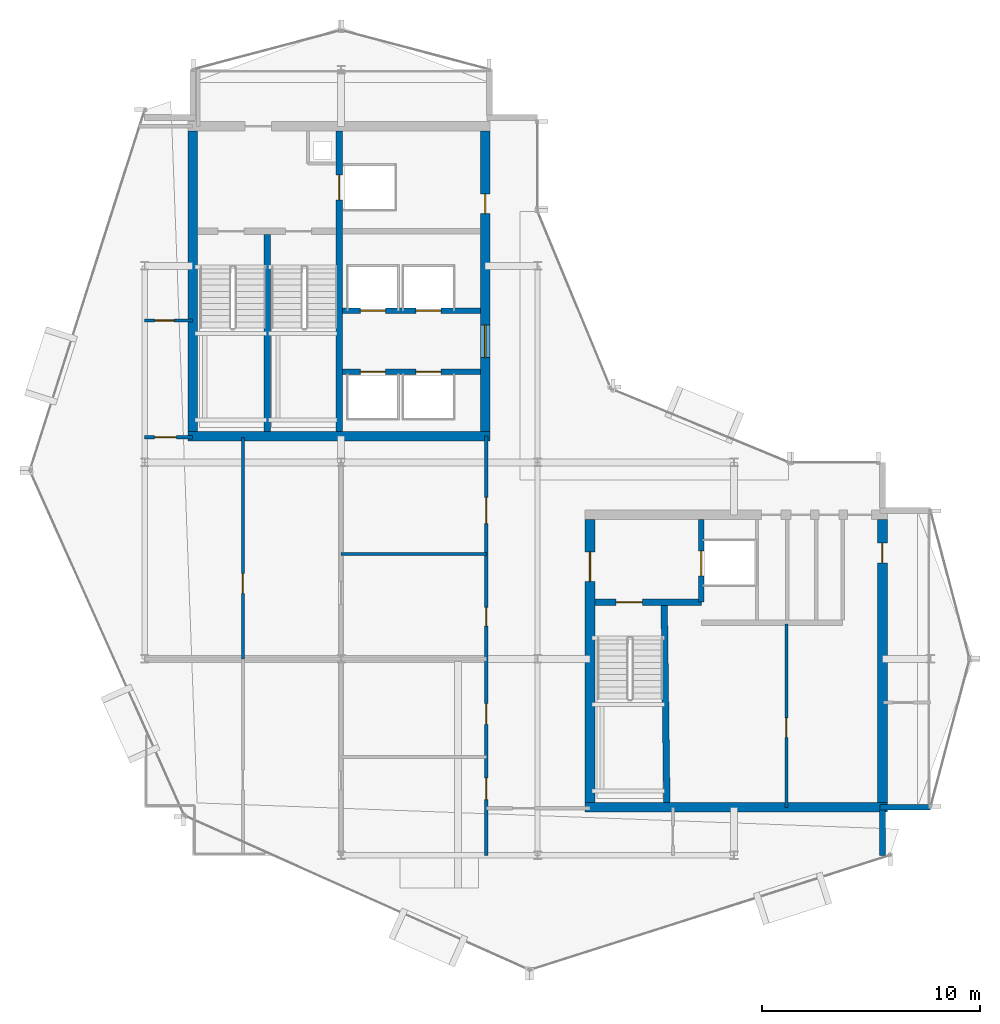
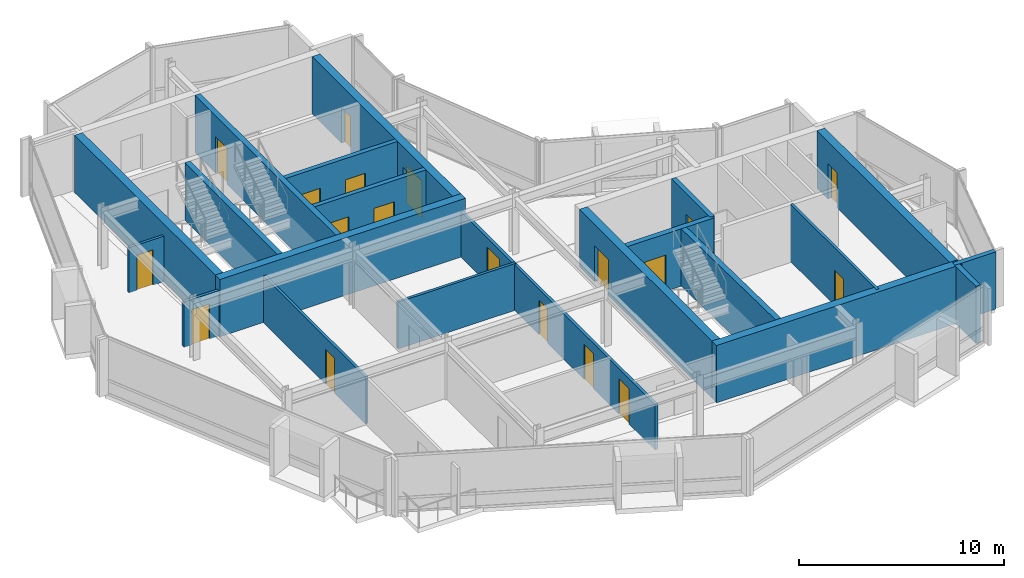
# One storey, part 14 of 19: 21 walls, 19 doors, 19 openings.
"""IFC4 building model written with IfcOpenShell, lengths in metres."""

from ifc_helpers import new_model, si_unit, direction, frame, frame_2d, origin, place, context, subcontext, project, spatial, rectangle, extrude, material, layer, layer_set, type_object, element, fill, save


model = new_model("IFC4")

# Units and contexts
model_context = context("Model", 3, precision=1e-05, world=origin(), true_north=direction((0.0, 1.0)))
body_context = subcontext(model_context, "Body", "Model", "MODEL_VIEW")
ifc_project = project(units=[si_unit("LENGTHUNIT", "METRE"), si_unit("AREAUNIT", "SQUARE_METRE"), si_unit("VOLUMEUNIT", "CUBIC_METRE"), si_unit("PLANEANGLEUNIT", "RADIAN"), si_unit("MASSUNIT", "GRAM", prefix="KILO")], contexts=[model_context])

# Site, building, storey
site_placement = place(None, origin())
site = spatial("IfcSite", under=ifc_project, at=site_placement, CompositionType="ELEMENT")
building_placement = place(site_placement, origin())
building = spatial("IfcBuilding", under=site, at=building_placement, Name="Solvaryn Broadcast Tower", CompositionType="ELEMENT")
storey_placement = place(building_placement, frame((0.0, 0.0, 290.0)))
storey = spatial("IfcBuildingStorey", under=building, at=storey_placement, Name="L73", CompositionType="ELEMENT", Elevation=290.0)

# Walls
ifc_material_1 = material(Name="Concrete f'c 70 MPa", Category="concrete")
ifc_layer_1 = layer(ifc_material_1, 0.449951171875)
ifc_layer_set_1 = layer_set([ifc_layer_1], Name="CW-SHEAR-450")
wall_type_1 = type_object("IfcWallType", Name="CW-SHEAR-450", PredefinedType="SHEAR", material=ifc_layer_set_1)
wall_1_placement = place(storey_placement, frame((10.97509765625, 28.199951171875, 0.0), z_axis=(0.0, 0.0, 1.0), x_axis=(1.0, 0.0, 0.0)))
element("IfcWall", 1, at=wall_1_placement, inside=storey, type_object=wall_type_1, Name="L73 West Core South Shear Wall", PredefinedType="SHEAR", context=body_context, shape_type="SweptSolid", body=[
    extrude(rectangle(XDim=13.849853515625, YDim=0.449951171875, at=frame_2d((6.9248046875, 0.0))), origin(), (0.0, 0.0, 1.0), 3.419921875),
])
wall_2_placement = place(storey_placement, frame((11.199951171875, 42.175048828125, 0.0), z_axis=(0.0, 0.0, 1.0), x_axis=(0.0, -1.0, 0.0)))
element("IfcWall", 2, at=wall_2_placement, inside=storey, type_object=wall_type_1, Name="L73 West Core West Shear Wall", PredefinedType="SHEAR", context=body_context, shape_type="SweptSolid", body=[
    extrude(rectangle(XDim=13.75, YDim=0.449951171875, at=frame_2d((6.875, 0.0))), origin(), (0.0, 0.0, 1.0), 3.419921875),
])

# Wall, openings, doors
wall_3_placement = place(storey_placement, frame((24.60009765625, 28.425048828125, 0.0), z_axis=(0.0, 0.0, 1.0), x_axis=(0.0, 1.0, 0.0)))
wall_3 = element("IfcWall", 3, at=wall_3_placement, inside=storey, type_object=wall_type_1, Name="L73 West Core East Shear Wall", PredefinedType="SHEAR", context=body_context, shape_type="SweptSolid", body=[
    extrude(rectangle(XDim=13.75, YDim=0.449951171875, at=frame_2d((6.875, 0.0))), origin(), (0.0, 0.0, 1.0), 3.419921875),
])
opening_1_placement = place(wall_3_placement, frame((3.375, 0.0, 0.0)))
opening_1 = element("IfcOpeningElement", 4, at=opening_1_placement, cuts=wall_3, Name="Opening FD60A", PredefinedType="OPENING", context=body_context, shape_type="SweptSolid", body=[
    extrude(rectangle(XDim=1.5, YDim=2.199951171875, at=frame_2d((0.75, 1.10009765625))), frame((0.0, 0.235107421875, 0.0), z_axis=(0.0, -1.0, 0.0), x_axis=(1.0, 0.0, 0.0)), (0.0, 0.0, 1.0), 0.469970703125),
])
opening_2_placement = place(wall_3_placement, frame((9.97509765625, 0.0, 0.0)))
opening_2 = element("IfcOpeningElement", 5, at=opening_2_placement, cuts=wall_3, Name="Opening FD60C", PredefinedType="OPENING", context=body_context, shape_type="SweptSolid", body=[
    extrude(rectangle(XDim=0.89990234375, YDim=2.10009765625, at=frame_2d((0.449951171875, 1.050048828125))), frame((0.0, 0.235107421875, 0.0), z_axis=(0.0, -1.0, 0.0), x_axis=(1.0, 0.0, 0.0)), (0.0, 0.0, 1.0), 0.469970703125),
])
ifc_material_2 = material(Name="Flush Acoustic Steel and Timber Door Assembly", Category="steel")
door_type_1 = type_object("IfcDoorType", Name="FD60-CORR-1500X2200", OperationType="NOTDEFINED", PredefinedType="DOOR", material=ifc_material_2)
door_1_placement = place(opening_1_placement, origin())
door_1 = element("IfcDoor", 6, at=door_1_placement, inside=storey, type_object=door_type_1, Name="L73 West Elevator Lobby Corridor Door", OperationType="DOUBLE_DOOR_SINGLE_SWING", OverallHeight=2.199951171875, OverallWidth=1.5, PredefinedType="DOOR", context=body_context, shape_type="SweptSolid", body=[
    extrude(rectangle(XDim=1.5, YDim=2.199951171875, at=frame_2d((0.75, 1.10009765625))), frame((0.0, 0.02490234375, 0.0), z_axis=(0.0, -1.0, 0.0), x_axis=(1.0, 0.0, 0.0)), (0.0, 0.0, 1.0), 0.050048828125),
])
fill(opening_1, door_1)
ifc_material_3 = material(Name="Flush Acoustic Steel and Timber Door Assembly", Category="steel")
door_type_2 = type_object("IfcDoorType", Name="FD60-SERV-900X2100", OperationType="NOTDEFINED", PredefinedType="DOOR", material=ifc_material_3)
door_2_placement = place(opening_2_placement, origin())
door_2 = element("IfcDoor", 7, at=door_2_placement, inside=storey, type_object=door_type_2, Name="L73 West Core Service Door 1", OperationType="SINGLE_SWING_LEFT", OverallHeight=2.10009765625, OverallWidth=0.89990234375, PredefinedType="DOOR", context=body_context, shape_type="SweptSolid", body=[
    extrude(rectangle(XDim=0.89990234375, YDim=2.10009765625, at=frame_2d((0.449951171875, 1.050048828125))), frame((0.0, 0.02490234375, 0.0), z_axis=(0.0, -1.0, 0.0), x_axis=(1.0, 0.0, 0.0)), (0.0, 0.0, 1.0), 0.050048828125),
])
fill(opening_2, door_2)

# Wall
wall_4_placement = place(storey_placement, frame((29.175048828125, 11.199951171875, 0.0), z_axis=(0.0, 0.0, 1.0), x_axis=(1.0, 0.0, 0.0)))
element("IfcWall", 8, at=wall_4_placement, inside=storey, type_object=wall_type_1, Name="L73 East Core South Shear Wall", PredefinedType="SHEAR", context=body_context, shape_type="SweptSolid", body=[
    extrude(rectangle(XDim=13.849853515625, YDim=0.449951171875, at=frame_2d((6.9248046875, 0.0))), origin(), (0.0, 0.0, 1.0), 3.419921875),
])

# Wall, opening, door
wall_5_placement = place(storey_placement, frame((29.39990234375, 24.375, 0.0), z_axis=(0.0, 0.0, 1.0), x_axis=(0.0, -1.0, 0.0)))
wall_5 = element("IfcWall", 9, at=wall_5_placement, inside=storey, type_object=wall_type_1, Name="L73 East Core West Shear Wall", PredefinedType="SHEAR", context=body_context, shape_type="SweptSolid", body=[
    extrude(rectangle(XDim=12.949951171875, YDim=0.449951171875, at=frame_2d((6.47509765625, 0.0))), origin(), (0.0, 0.0, 1.0), 3.419921875),
])
opening_3_placement = place(wall_5_placement, frame((1.47509765625, 0.0, 0.0)))
opening_3 = element("IfcOpeningElement", 10, at=opening_3_placement, cuts=wall_5, Name="Opening FD90B", PredefinedType="OPENING", context=body_context, shape_type="SweptSolid", body=[
    extrude(rectangle(XDim=1.35009765625, YDim=2.14990234375, at=frame_2d((0.675048828125, 1.074951171875))), frame((0.0, 0.235107421875, 0.0), z_axis=(0.0, -1.0, 0.0), x_axis=(1.0, 0.0, 0.0)), (0.0, 0.0, 1.0), 0.469970703125),
])
ifc_material_4 = material(Name="Flush Acoustic Steel and Timber Door Assembly", Category="steel")
door_type_3 = type_object("IfcDoorType", Name="FD90-LOBBY-1350X2150", OperationType="NOTDEFINED", PredefinedType="DOOR", material=ifc_material_4)
door_3_placement = place(opening_3_placement, origin())
door_3 = element("IfcDoor", 11, at=door_3_placement, inside=storey, type_object=door_type_3, Name="L73 East FSAE Lobby Door", OperationType="SINGLE_SWING_RIGHT", OverallHeight=2.14990234375, OverallWidth=1.35009765625, PredefinedType="DOOR", context=body_context, shape_type="SweptSolid", body=[
    extrude(rectangle(XDim=1.35009765625, YDim=2.14990234375, at=frame_2d((0.675048828125, 1.074951171875))), frame((0.0, 0.02490234375, 0.0), z_axis=(0.0, -1.0, 0.0), x_axis=(1.0, 0.0, 0.0)), (0.0, 0.0, 1.0), 0.050048828125),
])
fill(opening_3, door_3)

wall_6_placement = place(storey_placement, frame((42.800048828125, 11.425048828125, 0.0), z_axis=(0.0, 0.0, 1.0), x_axis=(0.0, 1.0, 0.0)))
wall_6 = element("IfcWall", 12, at=wall_6_placement, inside=storey, type_object=wall_type_1, Name="L73 East Core East Shear Wall", PredefinedType="SHEAR", context=body_context, shape_type="SweptSolid", body=[
    extrude(rectangle(XDim=12.949951171875, YDim=0.449951171875, at=frame_2d((6.47509765625, 0.0))), origin(), (0.0, 0.0, 1.0), 3.419921875),
])
opening_4_placement = place(wall_6_placement, frame((10.97509765625, 0.0, 0.0)))
opening_4 = element("IfcOpeningElement", 13, at=opening_4_placement, cuts=wall_6, Name="Opening FD60C", PredefinedType="OPENING", context=body_context, shape_type="SweptSolid", body=[
    extrude(rectangle(XDim=0.89990234375, YDim=2.10009765625, at=frame_2d((0.449951171875, 1.050048828125))), frame((0.0, 0.235107421875, 0.0), z_axis=(0.0, -1.0, 0.0), x_axis=(1.0, 0.0, 0.0)), (0.0, 0.0, 1.0), 0.469970703125),
])
door_4_placement = place(opening_4_placement, origin())
door_4 = element("IfcDoor", 14, at=door_4_placement, inside=storey, type_object=door_type_2, Name="L73 Upper East Studio Door", OperationType="SINGLE_SWING_RIGHT", OverallHeight=2.10009765625, OverallWidth=0.89990234375, PredefinedType="DOOR", context=body_context, shape_type="SweptSolid", body=[
    extrude(rectangle(XDim=0.89990234375, YDim=2.10009765625, at=frame_2d((0.449951171875, 1.050048828125))), frame((0.0, 0.02490234375, 0.0), z_axis=(0.0, -1.0, 0.0), x_axis=(1.0, 0.0, 0.0)), (0.0, 0.0, 1.0), 0.050048828125),
])
fill(opening_4, door_4)

# Walls
ifc_material_5 = material(Name="Concrete f'c 50 MPa", Category="concrete")
ifc_layer_2 = layer(ifc_material_5, 0.260009765625)
ifc_layer_set_2 = layer_set([ifc_layer_2], Name="EW-PIER-260")
wall_type_2 = type_object("IfcWallType", Name="EW-PIER-260", PredefinedType="SOLIDWALL", material=ifc_layer_set_2)
wall_7_placement = place(storey_placement, frame((42.800048828125, 9.0, 0.0), z_axis=(0.0, 0.0, 1.0), x_axis=(0.0, 1.0, 0.0)))
element("IfcWall", 15, at=wall_7_placement, inside=storey, type_object=wall_type_2, Name="L73 Notched Corner Pier Wall NSE1", PredefinedType="SOLIDWALL", context=body_context, shape_type="SweptSolid", body=[
    extrude(rectangle(XDim=2.080078125, YDim=0.260009765625, at=frame_2d((1.0400390625, 0.0))), origin(), (0.0, 0.0, 1.0), 3.419921875),
])
wall_8_placement = place(storey_placement, frame((42.679931640625, 11.199951171875, 0.0), z_axis=(0.0, 0.0, 1.0), x_axis=(1.0, 0.0, 0.0)))
element("IfcWall", 16, at=wall_8_placement, inside=storey, type_object=wall_type_2, Name="L73 Notched Corner Pier Wall NSE2", PredefinedType="SOLIDWALL", context=body_context, shape_type="SweptSolid", body=[
    extrude(rectangle(XDim=2.320068359375, YDim=0.260009765625, at=frame_2d((1.16015625, 0.0))), origin(), (0.0, 0.0, 1.0), 3.419921875),
])

# Wall, opening, door
ifc_material_6 = material(Name="Metal-Stud Service Core Partition")
ifc_layer_3 = layer(ifc_material_6, 0.14990234375)
ifc_layer_set_3 = layer_set([ifc_layer_3], Name="IW-PART-150")
wall_type_3 = type_object("IfcWallType", Name="IW-PART-150", PredefinedType="PARTITIONING", material=ifc_layer_set_3)
wall_9_placement = place(storey_placement, frame((38.39990234375, 11.199951171875, 0.0), z_axis=(0.0, 0.0, 1.0), x_axis=(0.0, 1.0, 0.0)))
wall_9 = element("IfcWall", 17, at=wall_9_placement, inside=storey, type_object=wall_type_3, Name="L73 Interior Partition IW-L73-RPM-V", PredefinedType="PARTITIONING", context=body_context, shape_type="SweptSolid", body=[
    extrude(rectangle(XDim=8.400146484375, YDim=0.14990234375, at=frame_2d((4.2001953125, 0.0))), origin(), (0.0, 0.0, 1.0), 3.419921875),
])
opening_5_placement = place(wall_9_placement, frame((3.199951171875, 0.0, 0.0)))
opening_5 = element("IfcOpeningElement", 18, at=opening_5_placement, cuts=wall_9, Name="Opening FD60C", PredefinedType="OPENING", context=body_context, shape_type="SweptSolid", body=[
    extrude(rectangle(XDim=0.89990234375, YDim=2.10009765625, at=frame_2d((0.449951171875, 1.050048828125))), frame((0.0, 0.0849609375, 0.0), z_axis=(0.0, -1.0, 0.0), x_axis=(1.0, 0.0, 0.0)), (0.0, 0.0, 1.0), 0.169921875),
])
door_5_placement = place(opening_5_placement, origin())
door_5 = element("IfcDoor", 19, at=door_5_placement, inside=storey, type_object=door_type_2, Name="L73 Door DR-L73-RPM1", OperationType="SINGLE_SWING_LEFT", OverallHeight=2.10009765625, OverallWidth=0.89990234375, PredefinedType="DOOR", context=body_context, shape_type="SweptSolid", body=[
    extrude(rectangle(XDim=0.89990234375, YDim=2.10009765625, at=frame_2d((0.449951171875, 1.050048828125))), frame((0.0, 0.02490234375, 0.0), z_axis=(0.0, -1.0, 0.0), x_axis=(1.0, 0.0, 0.0)), (0.0, 0.0, 1.0), 0.050048828125),
])
fill(opening_5, door_5)

wall_10_placement = place(storey_placement, frame((9.0, 33.5, 0.0), z_axis=(0.0, 0.0, 1.0), x_axis=(1.0, 0.0, 0.0)))
wall_10 = element("IfcWall", 20, at=wall_10_placement, inside=storey, type_object=wall_type_3, Name="L73 Interior Partition IW-L73-WM-M", PredefinedType="PARTITIONING", context=body_context, shape_type="SweptSolid", body=[
    extrude(rectangle(XDim=2.199951171875, YDim=0.14990234375, at=frame_2d((1.10009765625, 0.0))), origin(), (0.0, 0.0, 1.0), 2.70703125),
])
opening_6_placement = place(wall_10_placement, frame((0.449951171875, 0.0, 0.0)))
opening_6 = element("IfcOpeningElement", 21, at=opening_6_placement, cuts=wall_10, Name="Opening FD60C", PredefinedType="OPENING", context=body_context, shape_type="SweptSolid", body=[
    extrude(rectangle(XDim=0.89990234375, YDim=2.10009765625, at=frame_2d((0.449951171875, 1.050048828125))), frame((0.0, 0.0849609375, 0.0), z_axis=(0.0, -1.0, 0.0), x_axis=(1.0, 0.0, 0.0)), (0.0, 0.0, 1.0), 0.169921875),
])
door_6_placement = place(opening_6_placement, origin())
door_6 = element("IfcDoor", 22, at=door_6_placement, inside=storey, type_object=door_type_2, Name="L73 Door DR-L73-WM1", OperationType="SINGLE_SWING_LEFT", OverallHeight=2.10009765625, OverallWidth=0.89990234375, PredefinedType="DOOR", context=body_context, shape_type="SweptSolid", body=[
    extrude(rectangle(XDim=0.89990234375, YDim=2.10009765625, at=frame_2d((0.449951171875, 1.050048828125))), frame((0.0, 0.02490234375, 0.0), z_axis=(0.0, -1.0, 0.0), x_axis=(1.0, 0.0, 0.0)), (0.0, 0.0, 1.0), 0.050048828125),
])
fill(opening_6, door_6)

wall_11_placement = place(storey_placement, frame((13.5, 18.0, 0.0), z_axis=(0.0, 0.0, 1.0), x_axis=(0.0, 1.0, 0.0)))
wall_11 = element("IfcWall", 23, at=wall_11_placement, inside=storey, type_object=wall_type_3, Name="L73 Interior Partition IW-L73-SW-C1", PredefinedType="PARTITIONING", context=body_context, shape_type="SweptSolid", body=[
    extrude(rectangle(XDim=10.1298828125, YDim=0.14990234375, at=frame_2d((5.06494140625, 0.0))), origin(), (0.0, 0.0, 1.0), 2.7890625),
])
opening_7_placement = place(wall_11_placement, frame((3.0, 0.0, 0.0)))
opening_7 = element("IfcOpeningElement", 24, at=opening_7_placement, cuts=wall_11, Name="Opening FD60C", PredefinedType="OPENING", context=body_context, shape_type="SweptSolid", body=[
    extrude(rectangle(XDim=0.89990234375, YDim=2.10009765625, at=frame_2d((0.449951171875, 1.050048828125))), frame((0.0, 0.0849609375, 0.0), z_axis=(0.0, -1.0, 0.0), x_axis=(1.0, 0.0, 0.0)), (0.0, 0.0, 1.0), 0.169921875),
])
door_7_placement = place(opening_7_placement, origin())
door_7 = element("IfcDoor", 25, at=door_7_placement, inside=storey, type_object=door_type_2, Name="L73 Door DR-L73-SWQ-6", OperationType="SINGLE_SWING_LEFT", OverallHeight=2.10009765625, OverallWidth=0.89990234375, PredefinedType="DOOR", context=body_context, shape_type="SweptSolid", body=[
    extrude(rectangle(XDim=0.89990234375, YDim=2.10009765625, at=frame_2d((0.449951171875, 1.050048828125))), frame((0.0, 0.02490234375, 0.0), z_axis=(0.0, -1.0, 0.0), x_axis=(1.0, 0.0, 0.0)), (0.0, 0.0, 1.0), 0.050048828125),
])
fill(opening_7, door_7)

# Wall
wall_12_placement = place(storey_placement, frame((18.0, 22.800048828125, 0.0), z_axis=(0.0, 0.0, 1.0), x_axis=(1.0, 0.0, 0.0)))
element("IfcWall", 26, at=wall_12_placement, inside=storey, type_object=wall_type_3, Name="L73 Interior Partition IW-L73-SW-C3", PredefinedType="PARTITIONING", context=body_context, shape_type="SweptSolid", body=[
    extrude(rectangle(XDim=6.64990234375, YDim=0.14990234375, at=frame_2d((3.324951171875, 0.0))), origin(), (0.0, 0.0, 1.0), 2.7919921875),
])

# Wall, opening, door
ifc_material_7 = material(Name="Metal-Stud Gypsum Office Partition")
ifc_layer_4 = layer(ifc_material_7, 0.159912109375)
ifc_layer_set_4 = layer_set([ifc_layer_4], Name="IW-PART-160")
wall_type_4 = type_object("IfcWallType", Name="IW-PART-160", PredefinedType="PARTITIONING", material=ifc_layer_set_4)
wall_13_placement = place(storey_placement, frame((9.0, 28.14990234375, 0.0), z_axis=(0.0, 0.0, 1.0), x_axis=(1.0, 0.0, 0.0)))
wall_13 = element("IfcWall", 27, at=wall_13_placement, inside=storey, type_object=wall_type_4, Name="L73 Interior Partition IW-L73-WM-S", PredefinedType="PARTITIONING", context=body_context, shape_type="SweptSolid", body=[
    extrude(rectangle(XDim=2.199951171875, YDim=0.159912109375, at=frame_2d((1.10009765625, 0.0))), origin(), (0.0, 0.0, 1.0), 2.70703125),
])
opening_8_placement = place(wall_13_placement, frame((0.449951171875, 0.0, 0.0)))
opening_8 = element("IfcOpeningElement", 28, at=opening_8_placement, cuts=wall_13, Name="Opening ID02", PredefinedType="OPENING", context=body_context, shape_type="SweptSolid", body=[
    extrude(rectangle(XDim=1.0, YDim=2.10009765625, at=frame_2d((0.5, 1.050048828125))), frame((0.0, 0.090087890625, 0.0), z_axis=(0.0, -1.0, 0.0), x_axis=(1.0, 0.0, 0.0)), (0.0, 0.0, 1.0), 0.179931640625),
])
ifc_material_8 = material(Name="Flush Acoustic Steel and Timber Door Assembly", Category="steel")
door_type_4 = type_object("IfcDoorType", Name="ID-02-1000X2100", OperationType="NOTDEFINED", PredefinedType="DOOR", material=ifc_material_8)
door_8_placement = place(opening_8_placement, origin())
door_8 = element("IfcDoor", 29, at=door_8_placement, inside=storey, type_object=door_type_4, Name="L73 Door DR-L73-WM0", OperationType="SINGLE_SWING_RIGHT", OverallHeight=2.10009765625, OverallWidth=1.0, PredefinedType="DOOR", context=body_context, shape_type="SweptSolid", body=[
    extrude(rectangle(XDim=1.0, YDim=2.10009765625, at=frame_2d((0.5, 1.050048828125))), frame((0.0, 0.02490234375, 0.0), z_axis=(0.0, -1.0, 0.0), x_axis=(1.0, 0.0, 0.0)), (0.0, 0.0, 1.0), 0.050048828125),
])
fill(opening_8, door_8)

# Wall, openings, doors
wall_14_placement = place(storey_placement, frame((24.64990234375, 9.0, 0.0), z_axis=(0.0, 0.0, 1.0), x_axis=(0.0, 1.0, 0.0)))
wall_14 = element("IfcWall", 30, at=wall_14_placement, inside=storey, type_object=wall_type_4, Name="L73 Interior Partition IW-L73-SW-EB", PredefinedType="PARTITIONING", context=body_context, shape_type="SweptSolid", body=[
    extrude(rectangle(XDim=19.199951171875, YDim=0.159912109375, at=frame_2d((9.60009765625, 0.0))), origin(), (0.0, 0.0, 1.0), 2.70703125),
])
opening_9_placement = place(wall_14_placement, frame((15.199951171875, 0.0, 0.0)))
opening_9 = element("IfcOpeningElement", 31, at=opening_9_placement, cuts=wall_14, Name="Opening ID04", PredefinedType="OPENING", context=body_context, shape_type="SweptSolid", body=[
    extrude(rectangle(XDim=1.199951171875, YDim=2.14990234375, at=frame_2d((0.60009765625, 1.074951171875))), frame((0.0, 0.090087890625, 0.0), z_axis=(0.0, -1.0, 0.0), x_axis=(1.0, 0.0, 0.0)), (0.0, 0.0, 1.0), 0.179931640625),
])
opening_10_placement = place(wall_14_placement, frame((10.5, 0.0, 0.0)))
opening_10 = element("IfcOpeningElement", 32, at=opening_10_placement, cuts=wall_14, Name="Opening ID07", PredefinedType="OPENING", context=body_context, shape_type="SweptSolid", body=[
    extrude(rectangle(XDim=0.860107421875, YDim=2.050048828125, at=frame_2d((0.43017578125, 1.02490234375))), frame((0.0, 0.090087890625, 0.0), z_axis=(0.0, -1.0, 0.0), x_axis=(1.0, 0.0, 0.0)), (0.0, 0.0, 1.0), 0.179931640625),
])
opening_11_placement = place(wall_14_placement, frame((6.0, 0.0, 0.0)))
opening_11 = element("IfcOpeningElement", 33, at=opening_11_placement, cuts=wall_14, Name="Opening ID01", PredefinedType="OPENING", context=body_context, shape_type="SweptSolid", body=[
    extrude(rectangle(XDim=0.949951171875, YDim=2.10009765625, at=frame_2d((0.47509765625, 1.050048828125))), frame((0.0, 0.090087890625, 0.0), z_axis=(0.0, -1.0, 0.0), x_axis=(1.0, 0.0, 0.0)), (0.0, 0.0, 1.0), 0.179931640625),
])
opening_12_placement = place(wall_14_placement, frame((2.550048828125, 0.0, 0.0)))
opening_12 = element("IfcOpeningElement", 34, at=opening_12_placement, cuts=wall_14, Name="Opening ID02", PredefinedType="OPENING", context=body_context, shape_type="SweptSolid", body=[
    extrude(rectangle(XDim=1.0, YDim=2.10009765625, at=frame_2d((0.5, 1.050048828125))), frame((0.0, 0.090087890625, 0.0), z_axis=(0.0, -1.0, 0.0), x_axis=(1.0, 0.0, 0.0)), (0.0, 0.0, 1.0), 0.179931640625),
])
ifc_material_9 = material(Name="Flush Acoustic Steel and Timber Door Assembly", Category="steel")
door_type_5 = type_object("IfcDoorType", Name="ID-01-950X2100", OperationType="NOTDEFINED", PredefinedType="DOOR", material=ifc_material_9)
door_9_placement = place(opening_11_placement, origin())
door_9 = element("IfcDoor", 35, at=door_9_placement, inside=storey, type_object=door_type_5, Name="L73 Door DR-L73-SWQ-3", OperationType="SINGLE_SWING_RIGHT", OverallHeight=2.10009765625, OverallWidth=0.949951171875, PredefinedType="DOOR", context=body_context, shape_type="SweptSolid", body=[
    extrude(rectangle(XDim=0.949951171875, YDim=2.10009765625, at=frame_2d((0.47509765625, 1.050048828125))), frame((0.0, 0.02490234375, 0.0), z_axis=(0.0, -1.0, 0.0), x_axis=(1.0, 0.0, 0.0)), (0.0, 0.0, 1.0), 0.050048828125),
])
fill(opening_11, door_9)
door_10_placement = place(opening_12_placement, origin())
door_10 = element("IfcDoor", 36, at=door_10_placement, inside=storey, type_object=door_type_4, Name="L73 Door DR-L73-SWQ-4", OperationType="SINGLE_SWING_LEFT", OverallHeight=2.10009765625, OverallWidth=1.0, PredefinedType="DOOR", context=body_context, shape_type="SweptSolid", body=[
    extrude(rectangle(XDim=1.0, YDim=2.10009765625, at=frame_2d((0.5, 1.050048828125))), frame((0.0, 0.02490234375, 0.0), z_axis=(0.0, -1.0, 0.0), x_axis=(1.0, 0.0, 0.0)), (0.0, 0.0, 1.0), 0.050048828125),
])
fill(opening_12, door_10)
ifc_material_10 = material(Name="Flush Acoustic Steel and Timber Door Assembly", Category="steel")
door_type_6 = type_object("IfcDoorType", Name="ID-04-1200X2150", OperationType="NOTDEFINED", PredefinedType="DOOR", material=ifc_material_10)
door_11_placement = place(opening_9_placement, origin())
door_11 = element("IfcDoor", 37, at=door_11_placement, inside=storey, type_object=door_type_6, Name="L73 Door DR-L73-SWQ-1", OperationType="SINGLE_SWING_RIGHT", OverallHeight=2.14990234375, OverallWidth=1.199951171875, PredefinedType="DOOR", context=body_context, shape_type="SweptSolid", body=[
    extrude(rectangle(XDim=1.199951171875, YDim=2.14990234375, at=frame_2d((0.60009765625, 1.074951171875))), frame((0.0, 0.02490234375, 0.0), z_axis=(0.0, -1.0, 0.0), x_axis=(1.0, 0.0, 0.0)), (0.0, 0.0, 1.0), 0.050048828125),
])
fill(opening_9, door_11)
ifc_material_11 = material(Name="Flush Acoustic Steel and Timber Door Assembly", Category="steel")
door_type_7 = type_object("IfcDoorType", Name="ID-07-860X2050", OperationType="NOTDEFINED", PredefinedType="DOOR", material=ifc_material_11)
door_12_placement = place(opening_10_placement, origin())
door_12 = element("IfcDoor", 38, at=door_12_placement, inside=storey, type_object=door_type_7, Name="L73 Door DR-L73-SWQ-2", OperationType="SINGLE_SWING_LEFT", OverallHeight=2.050048828125, OverallWidth=0.860107421875, PredefinedType="DOOR", context=body_context, shape_type="SweptSolid", body=[
    extrude(rectangle(XDim=0.860107421875, YDim=2.050048828125, at=frame_2d((0.43017578125, 1.02490234375))), frame((0.0, 0.02490234375, 0.0), z_axis=(0.0, -1.0, 0.0), x_axis=(1.0, 0.0, 0.0)), (0.0, 0.0, 1.0), 0.050048828125),
])
fill(opening_10, door_12)

ifc_material_12 = material(Name="Concrete f'c 60 MPa", Category="concrete")
ifc_layer_5 = layer(ifc_material_12, 0.25)
ifc_layer_set_5 = layer_set([ifc_layer_5], Name="SW-SHAFT-250")
wall_type_5 = type_object("IfcWallType", Name="SW-SHAFT-250", PredefinedType="PARTITIONING", material=ifc_layer_set_5)
wall_15_placement = place(storey_placement, frame((18.070068359375, 31.14990234375, 0.0), z_axis=(0.0, 0.0, 1.0), x_axis=(1.0, 0.0, 0.0)))
wall_15 = element("IfcWall", 39, at=wall_15_placement, inside=storey, type_object=wall_type_5, Name="L73 High-Rise Lift Bank South Wall", PredefinedType="PARTITIONING", context=body_context, shape_type="SweptSolid", body=[
    extrude(rectangle(XDim=6.304931640625, YDim=0.25, at=frame_2d((3.15234375, 0.0))), origin(), (0.0, 0.0, 1.0), 3.419921875),
])
opening_13_placement = place(wall_15_placement, frame((0.804931640625, 0.0, 0.0)))
opening_13 = element("IfcOpeningElement", 40, at=opening_13_placement, cuts=wall_15, Name="Opening LD01", PredefinedType="OPENING", context=body_context, shape_type="SweptSolid", body=[
    extrude(rectangle(XDim=1.14990234375, YDim=2.14990234375, at=frame_2d((0.574951171875, 1.074951171875))), frame((0.0, 0.135009765625, 0.0), z_axis=(0.0, -1.0, 0.0), x_axis=(1.0, 0.0, 0.0)), (0.0, 0.0, 1.0), 0.27001953125),
])
opening_14_placement = place(wall_15_placement, frame((3.35498046875, 0.0, 0.0)))
opening_14 = element("IfcOpeningElement", 41, at=opening_14_placement, cuts=wall_15, Name="Opening LD01", PredefinedType="OPENING", context=body_context, shape_type="SweptSolid", body=[
    extrude(rectangle(XDim=1.14990234375, YDim=2.14990234375, at=frame_2d((0.574951171875, 1.074951171875))), frame((0.0, 0.135009765625, 0.0), z_axis=(0.0, -1.0, 0.0), x_axis=(1.0, 0.0, 0.0)), (0.0, 0.0, 1.0), 0.27001953125),
])
ifc_material_13 = material(Name="Flush Acoustic Steel and Timber Door Assembly", Category="steel")
door_type_8 = type_object("IfcDoorType", Name="LD-LIFT-1150X2150", OperationType="NOTDEFINED", PredefinedType="DOOR", material=ifc_material_13)
door_13_placement = place(opening_13_placement, origin())
door_13 = element("IfcDoor", 42, at=door_13_placement, inside=storey, type_object=door_type_8, Name="L73 PH1 Lift Landing Door", OperationType="DOUBLE_DOOR_SLIDING", OverallHeight=2.14990234375, OverallWidth=1.14990234375, PredefinedType="DOOR", context=body_context, shape_type="SweptSolid", body=[
    extrude(rectangle(XDim=1.14990234375, YDim=2.14990234375, at=frame_2d((0.574951171875, 1.074951171875))), frame((0.0, 0.02490234375, 0.0), z_axis=(0.0, -1.0, 0.0), x_axis=(1.0, 0.0, 0.0)), (0.0, 0.0, 1.0), 0.050048828125),
])
fill(opening_13, door_13)
door_14_placement = place(opening_14_placement, origin())
door_14 = element("IfcDoor", 43, at=door_14_placement, inside=storey, type_object=door_type_8, Name="L73 PH2 Lift Landing Door", OperationType="DOUBLE_DOOR_SLIDING", OverallHeight=2.14990234375, OverallWidth=1.14990234375, PredefinedType="DOOR", context=body_context, shape_type="SweptSolid", body=[
    extrude(rectangle(XDim=1.14990234375, YDim=2.14990234375, at=frame_2d((0.574951171875, 1.074951171875))), frame((0.0, 0.02490234375, 0.0), z_axis=(0.0, -1.0, 0.0), x_axis=(1.0, 0.0, 0.0)), (0.0, 0.0, 1.0), 0.050048828125),
])
fill(opening_14, door_14)

wall_16_placement = place(storey_placement, frame((24.375, 33.949951171875, 0.0), z_axis=(0.0, 0.0, 1.0), x_axis=(-1.0, 0.0, 0.0)))
wall_16 = element("IfcWall", 44, at=wall_16_placement, inside=storey, type_object=wall_type_5, Name="L73 High-Rise Lift Bank North Wall", PredefinedType="PARTITIONING", context=body_context, shape_type="SweptSolid", body=[
    extrude(rectangle(XDim=6.304931640625, YDim=0.25, at=frame_2d((3.15234375, 0.0))), origin(), (0.0, 0.0, 1.0), 3.419921875),
])
opening_15_placement = place(wall_16_placement, frame((4.35009765625, 0.0, 0.0)))
opening_15 = element("IfcOpeningElement", 45, at=opening_15_placement, cuts=wall_16, Name="Opening LD01", PredefinedType="OPENING", context=body_context, shape_type="SweptSolid", body=[
    extrude(rectangle(XDim=1.14990234375, YDim=2.14990234375, at=frame_2d((0.574951171875, 1.074951171875))), frame((0.0, 0.135009765625, 0.0), z_axis=(0.0, -1.0, 0.0), x_axis=(1.0, 0.0, 0.0)), (0.0, 0.0, 1.0), 0.27001953125),
])
opening_16_placement = place(wall_16_placement, frame((1.800048828125, 0.0, 0.0)))
opening_16 = element("IfcOpeningElement", 46, at=opening_16_placement, cuts=wall_16, Name="Opening LD01", PredefinedType="OPENING", context=body_context, shape_type="SweptSolid", body=[
    extrude(rectangle(XDim=1.14990234375, YDim=2.14990234375, at=frame_2d((0.574951171875, 1.074951171875))), frame((0.0, 0.135009765625, 0.0), z_axis=(0.0, -1.0, 0.0), x_axis=(1.0, 0.0, 0.0)), (0.0, 0.0, 1.0), 0.27001953125),
])
door_15_placement = place(opening_15_placement, origin())
door_15 = element("IfcDoor", 47, at=door_15_placement, inside=storey, type_object=door_type_8, Name="L73 PH3 Lift Landing Door", OperationType="DOUBLE_DOOR_SLIDING", OverallHeight=2.14990234375, OverallWidth=1.14990234375, PredefinedType="DOOR", context=body_context, shape_type="SweptSolid", body=[
    extrude(rectangle(XDim=1.14990234375, YDim=2.14990234375, at=frame_2d((0.574951171875, 1.074951171875))), frame((0.0, 0.02490234375, 0.0), z_axis=(0.0, -1.0, 0.0), x_axis=(1.0, 0.0, 0.0)), (0.0, 0.0, 1.0), 0.050048828125),
])
fill(opening_15, door_15)
door_16_placement = place(opening_16_placement, origin())
door_16 = element("IfcDoor", 48, at=door_16_placement, inside=storey, type_object=door_type_8, Name="L73 PH4 Lift Landing Door", OperationType="DOUBLE_DOOR_SLIDING", OverallHeight=2.14990234375, OverallWidth=1.14990234375, PredefinedType="DOOR", context=body_context, shape_type="SweptSolid", body=[
    extrude(rectangle(XDim=1.14990234375, YDim=2.14990234375, at=frame_2d((0.574951171875, 1.074951171875))), frame((0.0, 0.02490234375, 0.0), z_axis=(0.0, -1.0, 0.0), x_axis=(1.0, 0.0, 0.0)), (0.0, 0.0, 1.0), 0.050048828125),
])
fill(opening_16, door_16)

# Wall, opening, door
wall_17_placement = place(storey_placement, frame((34.5, 20.60009765625, 0.0), z_axis=(0.0, 0.0, 1.0), x_axis=(0.0, 1.0, 0.0)))
wall_17 = element("IfcWall", 49, at=wall_17_placement, inside=storey, type_object=wall_type_5, Name="L73 East FSAE Lobby East Wall", PredefinedType="PARTITIONING", context=body_context, shape_type="SweptSolid", body=[
    extrude(rectangle(XDim=3.77490234375, YDim=0.25, at=frame_2d((1.887451171875, 0.0))), origin(), (0.0, 0.0, 1.0), 3.419921875),
])
opening_17_placement = place(wall_17_placement, frame((1.199951171875, 0.0, 0.0)))
opening_17 = element("IfcOpeningElement", 50, at=opening_17_placement, cuts=wall_17, Name="Opening LD01", PredefinedType="OPENING", context=body_context, shape_type="SweptSolid", body=[
    extrude(rectangle(XDim=1.14990234375, YDim=2.14990234375, at=frame_2d((0.574951171875, 1.074951171875))), frame((0.0, 0.135009765625, 0.0), z_axis=(0.0, -1.0, 0.0), x_axis=(1.0, 0.0, 0.0)), (0.0, 0.0, 1.0), 0.27001953125),
])
door_17_placement = place(opening_17_placement, origin())
door_17 = element("IfcDoor", 51, at=door_17_placement, inside=storey, type_object=door_type_8, Name="L73 FL2 Lift Landing Door", OperationType="DOUBLE_DOOR_SLIDING", OverallHeight=2.14990234375, OverallWidth=1.14990234375, PredefinedType="DOOR", context=body_context, shape_type="SweptSolid", body=[
    extrude(rectangle(XDim=1.14990234375, YDim=2.14990234375, at=frame_2d((0.574951171875, 1.074951171875))), frame((0.0, 0.02490234375, 0.0), z_axis=(0.0, -1.0, 0.0), x_axis=(1.0, 0.0, 0.0)), (0.0, 0.0, 1.0), 0.050048828125),
])
fill(opening_17, door_17)

# Wall
ifc_material_14 = material(Name="Concrete f'c 70 MPa", Category="concrete")
ifc_layer_6 = layer(ifc_material_14, 0.300048828125)
ifc_layer_set_6 = layer_set([ifc_layer_6], Name="SW-SHAFT-300")
wall_type_6 = type_object("IfcWallType", Name="SW-SHAFT-300", PredefinedType="SHEAR", material=ifc_layer_set_6)
wall_18_placement = place(storey_placement, frame((14.6201171875, 28.425048828125, 0.0), z_axis=(0.0, 0.0, 1.0), x_axis=(0.0, 1.0, 0.0)))
element("IfcWall", 52, at=wall_18_placement, inside=storey, type_object=wall_type_6, Name="L73 Stair 1-2 Dividing Wall", PredefinedType="SHEAR", context=body_context, shape_type="SweptSolid", body=[
    extrude(rectangle(XDim=9.02490234375, YDim=0.300048828125, at=frame_2d((4.512451171875, 0.0))), origin(), (0.0, 0.0, 1.0), 3.419921875),
])

# Wall, opening, door
wall_19_placement = place(storey_placement, frame((17.919921875, 42.175048828125, 0.0), z_axis=(0.0, 0.0, 1.0), x_axis=(0.0, -1.0, 0.0)))
wall_19 = element("IfcWall", 53, at=wall_19_placement, inside=storey, type_object=wall_type_6, Name="L73 West Core Stair-Lobby Shear Wall", PredefinedType="SHEAR", context=body_context, shape_type="SweptSolid", body=[
    extrude(rectangle(XDim=13.75, YDim=0.300048828125, at=frame_2d((6.875, 0.0))), origin(), (0.0, 0.0, 1.0), 3.419921875),
])
opening_18_placement = place(wall_19_placement, frame((2.0, 0.0, 0.0)))
opening_18 = element("IfcOpeningElement", 54, at=opening_18_placement, cuts=wall_19, Name="Opening LD01", PredefinedType="OPENING", context=body_context, shape_type="SweptSolid", body=[
    extrude(rectangle(XDim=1.14990234375, YDim=2.14990234375, at=frame_2d((0.574951171875, 1.074951171875))), frame((0.0, 0.159912109375, 0.0), z_axis=(0.0, -1.0, 0.0), x_axis=(1.0, 0.0, 0.0)), (0.0, 0.0, 1.0), 0.320068359375),
])
door_18_placement = place(opening_18_placement, origin())
door_18 = element("IfcDoor", 55, at=door_18_placement, inside=storey, type_object=door_type_8, Name="L73 FL1 Lift Landing Door", OperationType="DOUBLE_DOOR_SLIDING", OverallHeight=2.14990234375, OverallWidth=1.14990234375, PredefinedType="DOOR", context=body_context, shape_type="SweptSolid", body=[
    extrude(rectangle(XDim=1.14990234375, YDim=2.14990234375, at=frame_2d((0.574951171875, 1.074951171875))), frame((0.0, 0.02490234375, 0.0), z_axis=(0.0, -1.0, 0.0), x_axis=(1.0, 0.0, 0.0)), (0.0, 0.0, 1.0), 0.050048828125),
])
fill(opening_18, door_18)

# Wall
wall_20_placement = place(storey_placement, frame((32.919921875, 11.425048828125, 0.0), z_axis=(0.0, 0.0, 1.0), x_axis=(-0.013135638869, 0.999913723774, 0.0)))
element("IfcWall", 56, at=wall_20_placement, inside=storey, type_object=wall_type_6, Name="L73 Stair 3 East Shear Wall", PredefinedType="SHEAR", context=body_context, shape_type="SweptSolid", body=[
    extrude(rectangle(XDim=9.125732421875, YDim=0.300048828125, at=frame_2d((4.56298828125, 0.0))), origin(), (0.0, 0.0, 1.0), 3.419921875),
])

# Wall, opening, door
wall_21_placement = place(storey_placement, frame((34.5, 20.60009765625, 0.0), z_axis=(0.0, 0.0, 1.0), x_axis=(-1.0, 0.0, 0.0)))
wall_21 = element("IfcWall", 57, at=wall_21_placement, inside=storey, type_object=wall_type_6, Name="L73 East FSAE Lobby South Wall", PredefinedType="SHEAR", context=body_context, shape_type="SweptSolid", body=[
    extrude(rectangle(XDim=4.875, YDim=0.300048828125, at=frame_2d((2.4375, 0.0))), origin(), (0.0, 0.0, 1.0), 3.419921875),
])
opening_19_placement = place(wall_21_placement, frame((2.699951171875, 0.0, 0.0)))
opening_19 = element("IfcOpeningElement", 58, at=opening_19_placement, cuts=wall_21, Name="Opening FD90A", PredefinedType="OPENING", context=body_context, shape_type="SweptSolid", body=[
    extrude(rectangle(XDim=1.199951171875, YDim=2.14990234375, at=frame_2d((0.60009765625, 1.074951171875))), frame((0.0, 0.159912109375, 0.0), z_axis=(0.0, -1.0, 0.0), x_axis=(1.0, 0.0, 0.0)), (0.0, 0.0, 1.0), 0.320068359375),
])
ifc_material_15 = material(Name="Flush Acoustic Steel and Timber Door Assembly", Category="steel")
door_type_9 = type_object("IfcDoorType", Name="FD90-STAIR-1200X2150", OperationType="NOTDEFINED", PredefinedType="DOOR", material=ifc_material_15)
door_19_placement = place(opening_19_placement, origin())
door_19 = element("IfcDoor", 59, at=door_19_placement, inside=storey, type_object=door_type_9, Name="L73 Stair 3 Fire Door", OperationType="SINGLE_SWING_LEFT", OverallHeight=2.14990234375, OverallWidth=1.199951171875, PredefinedType="DOOR", context=body_context, shape_type="SweptSolid", body=[
    extrude(rectangle(XDim=1.199951171875, YDim=2.14990234375, at=frame_2d((0.60009765625, 1.074951171875))), frame((0.0, 0.02490234375, 0.0), z_axis=(0.0, -1.0, 0.0), x_axis=(1.0, 0.0, 0.0)), (0.0, 0.0, 1.0), 0.050048828125),
])
fill(opening_19, door_19)

save(model, "model.ifc")
